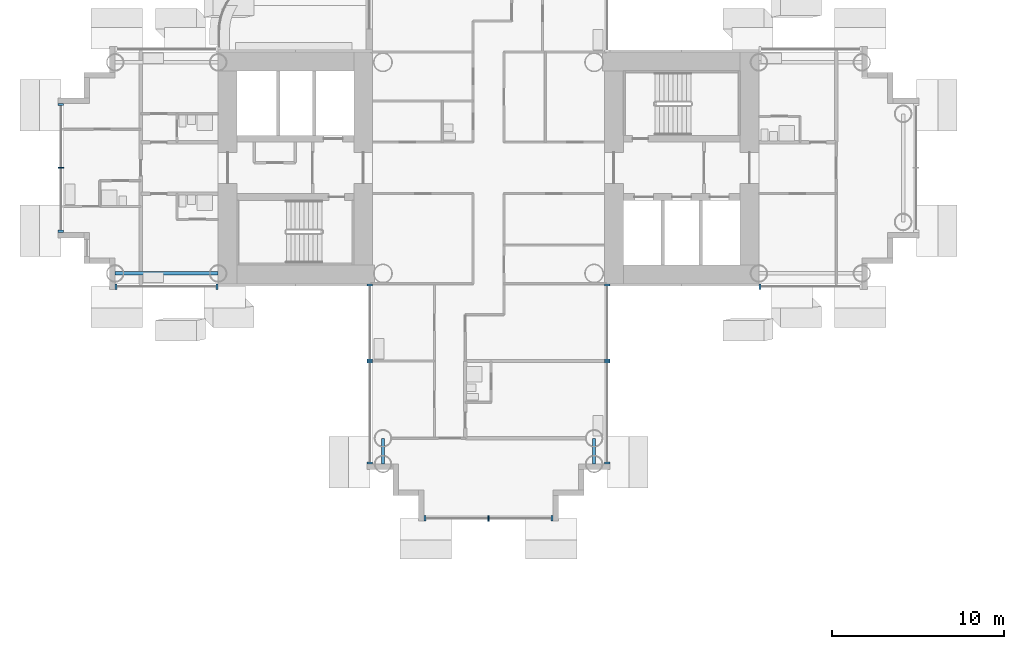
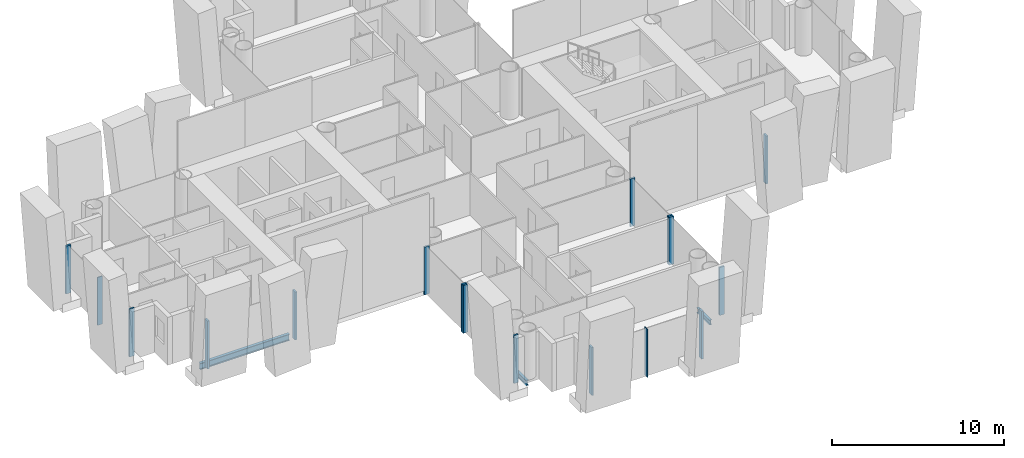
# One storey, part 3 of 25: 17 members, 3 beams, 8 elements without a shape of their own.
"""IFC4 building model written with IfcOpenShell, lengths in metres."""

from ifc_helpers import new_model, si_unit, direction, frame, origin, origin_2d, place, context, subcontext, project, spatial, rectangle, i_section, extrude, material, layer, layer_set, material_profile, profile_set, type_object, element, aggregate, save


model = new_model("IFC4")

# Units and contexts
model_context = context("Model", 3, precision=1e-05, world=origin(), true_north=direction((0.0, 1.0)))
body_context = subcontext(model_context, "Body", "Model", "MODEL_VIEW")
ifc_project = project(units=[si_unit("LENGTHUNIT", "METRE"), si_unit("AREAUNIT", "SQUARE_METRE"), si_unit("VOLUMEUNIT", "CUBIC_METRE"), si_unit("PLANEANGLEUNIT", "RADIAN"), si_unit("MASSUNIT", "GRAM", prefix="KILO")], contexts=[model_context])

# Site, building, storey
site_placement = place(None, origin())
site = spatial("IfcSite", under=ifc_project, at=site_placement, CompositionType="ELEMENT")
building_placement = place(site_placement, origin())
building = spatial("IfcBuilding", under=site, at=building_placement, Name="Ipe Terrace Towers", CompositionType="ELEMENT")
storey_placement = place(building_placement, frame((0.0, 0.0, 58.5)))
storey = spatial("IfcBuildingStorey", under=building, at=storey_placement, Name="L15", CompositionType="ELEMENT", Elevation=58.5)

# Beams
ifc_material_1 = material(Name="Steel S355", Category="steel")
ifc_material_profile_1 = material_profile(ifc_material_1, i_section(OverallWidth=0.175048828125, OverallDepth=0.35009765625, WebThickness=0.007080078125, FlangeThickness=0.010986328125, at=origin_2d()), Name="H-350x175x7x11")
ifc_profile_set_1 = profile_set([ifc_material_profile_1], Name="Steel S355")
beam_type_1 = type_object("IfcBeamType", Name="H04 EDGE BEAM H-350x175x7x11", PredefinedType="BEAM", material=ifc_profile_set_1)
for number, where, z_axis, x_axis, name in (
    (1, (-42.14990234375, -15.75, -0.574951171875), (0.0, -1.0, 0.0), (1.0, 0.0, 0.0), "Edge beam T1-EB-D03-D05"),
    (2, (-29.85009765625, -15.75, -0.574951171875), (0.0, -1.0, 0.0), (1.0, 0.0, 0.0), "Edge beam T1-EB-D04-D06"),
):
    element("IfcBeam", number, at=place(storey_placement, frame(where, z_axis=z_axis, x_axis=x_axis)), inside=storey, type_object=beam_type_1, Name=name, PredefinedType="BEAM", context=body_context, shape_type="SweptSolid", body=[
        extrude(i_section(OverallWidth=0.175048828125, OverallDepth=0.35009765625, WebThickness=0.007080078125, FlangeThickness=0.010986328125, at=origin_2d()), origin(), (0.0, 0.0, 1.0), 1.5),
    ])
ifc_material_2 = material(Name="Steel S355", Category="steel")
ifc_material_profile_2 = material_profile(ifc_material_2, i_section(OverallWidth=0.199951171875, OverallDepth=0.449951171875, WebThickness=0.009033203125, FlangeThickness=0.013916015625, at=origin_2d()), Name="H-450x200x9x14")
ifc_profile_set_2 = profile_set([ifc_material_profile_2], Name="Steel S355")
beam_type_2 = type_object("IfcBeamType", Name="H08 EDGE BEAM H-450x200x9x14", PredefinedType="BEAM", material=ifc_profile_set_2)
beam_placement = place(storey_placement, frame((-51.75, -6.14990234375, -0.625), z_axis=(-1.0, 0.0, 0.0), x_axis=(0.0, -1.0, 0.0)))
element("IfcBeam", 3, at=beam_placement, inside=storey, type_object=beam_type_2, Name="Edge beam T1-EB-C01-C03", PredefinedType="BEAM", context=body_context, shape_type="SweptSolid", body=[
    extrude(i_section(OverallWidth=0.199951171875, OverallDepth=0.449951171875, WebThickness=0.009033203125, FlangeThickness=0.013916015625, at=origin_2d()), origin(), (0.0, 0.0, 1.0), 6.0),
])

# Curtain wall, members
ifc_material_3 = material(Name="Aluminium alloy 6063-T6", Category="aluminium")
ifc_layer = layer(ifc_material_3, 0.320068359375)
ifc_layer_set = layer_set([ifc_layer], Name="TOWER UNITISED CURTAIN WALL")
curtain_wall_type = type_object("IfcCurtainWallType", Name="TOWER UNITISED CURTAIN WALL", PredefinedType="NOTDEFINED", material=ifc_layer_set)
curtain_wall_1_placement = place(storey_placement, origin())
curtain_wall_1 = element("IfcCurtainWall", 4, at=curtain_wall_1_placement, inside=storey, type_object=curtain_wall_type, Name="T1-CW-L15-04a curtain wall", PredefinedType="NOTDEFINED")
ifc_material_4 = material(Name="Aluminium alloy 6063-T6", Category="aluminium")
ifc_material_profile_3 = material_profile(ifc_material_4, rectangle(XDim=0.320068359375, YDim=0.1201171875, at=origin_2d()), Name="TOWER UNITISED CORNER MULLION 320 x 120")
ifc_profile_set_3 = profile_set([ifc_material_profile_3], Name="Aluminium alloy 6063-T6")
member_type_1 = type_object("IfcMemberType", Name="TOWER UNITISED CORNER MULLION 320 x 120", PredefinedType="MULLION", material=ifc_profile_set_3)
member_1_placement = place(storey_placement, frame((-57.68994140625, -6.909912109375, -0.300048828125), z_axis=(0.0, 0.0, 1.0), x_axis=(0.0, -1.0, 0.0)))
member_1 = element("IfcMember", 5, at=member_1_placement, type_object=member_type_1, Name="T1-CW-L15-04a mullion 1", PredefinedType="MULLION", context=body_context, shape_type="SweptSolid", body=[
    extrude(rectangle(XDim=0.320068359375, YDim=0.1201171875, at=origin_2d()), origin(), (0.0, 0.0, 1.0), 3.400146484375),
])
member_2_placement = place(storey_placement, frame((-51.81103515625, -6.909912109375, -0.300048828125), z_axis=(0.0, 0.0, 1.0), x_axis=(0.0, -1.0, 0.0)))
member_2 = element("IfcMember", 6, at=member_2_placement, type_object=member_type_1, Name="T1-CW-L15-04a mullion 2", PredefinedType="MULLION", context=body_context, shape_type="SweptSolid", body=[
    extrude(rectangle(XDim=0.320068359375, YDim=0.1201171875, at=origin_2d()), origin(), (0.0, 0.0, 1.0), 3.400146484375),
])
aggregate(curtain_wall_1, [member_1, member_2])

curtain_wall_2_placement = place(storey_placement, origin())
curtain_wall_2 = element("IfcCurtainWall", 7, at=curtain_wall_2_placement, inside=storey, type_object=curtain_wall_type, Name="T1-CW-L15-06a curtain wall", PredefinedType="NOTDEFINED")
member_3_placement = place(storey_placement, frame((-42.909912109375, -6.81005859375, -0.300048828125), z_axis=(0.0, 0.0, 1.0), x_axis=(-1.0, 0.0, 0.0)))
member_3 = element("IfcMember", 8, at=member_3_placement, type_object=member_type_1, Name="T1-CW-L15-06a mullion 1", PredefinedType="MULLION", context=body_context, shape_type="SweptSolid", body=[
    extrude(rectangle(XDim=0.320068359375, YDim=0.1201171875, at=origin_2d()), origin(), (0.0, 0.0, 1.0), 3.400146484375),
])
member_4_placement = place(storey_placement, frame((-42.909912109375, -11.18994140625, -0.300048828125), z_axis=(0.0, 0.0, 1.0), x_axis=(-1.0, 0.0, 0.0)))
member_4 = element("IfcMember", 9, at=member_4_placement, type_object=member_type_1, Name="T1-CW-L15-06a mullion 2", PredefinedType="MULLION", context=body_context, shape_type="SweptSolid", body=[
    extrude(rectangle(XDim=0.320068359375, YDim=0.1201171875, at=origin_2d()), origin(), (0.0, 0.0, 1.0), 3.400146484375),
])
aggregate(curtain_wall_2, [member_3, member_4])

curtain_wall_3_placement = place(storey_placement, origin())
curtain_wall_3 = element("IfcCurtainWall", 10, at=curtain_wall_3_placement, inside=storey, type_object=curtain_wall_type, Name="T1-CW-L15-07a curtain wall", PredefinedType="NOTDEFINED")
member_5_placement = place(storey_placement, frame((-42.909912109375, -11.31005859375, -0.300048828125), z_axis=(0.0, 0.0, 1.0), x_axis=(-1.0, 0.0, 0.0)))
member_5 = element("IfcMember", 11, at=member_5_placement, type_object=member_type_1, Name="T1-CW-L15-07a mullion 1", PredefinedType="MULLION", context=body_context, shape_type="SweptSolid", body=[
    extrude(rectangle(XDim=0.320068359375, YDim=0.1201171875, at=origin_2d()), origin(), (0.0, 0.0, 1.0), 3.400146484375),
])
member_6_placement = place(storey_placement, frame((-42.909912109375, -17.18994140625, -0.300048828125), z_axis=(0.0, 0.0, 1.0), x_axis=(-1.0, 0.0, 0.0)))
member_6 = element("IfcMember", 12, at=member_6_placement, type_object=member_type_1, Name="T1-CW-L15-07a mullion 2", PredefinedType="MULLION", context=body_context, shape_type="SweptSolid", body=[
    extrude(rectangle(XDim=0.320068359375, YDim=0.1201171875, at=origin_2d()), origin(), (0.0, 0.0, 1.0), 3.400146484375),
])
aggregate(curtain_wall_3, [member_5, member_6])

curtain_wall_4_placement = place(storey_placement, origin())
curtain_wall_4 = element("IfcCurtainWall", 13, at=curtain_wall_4_placement, inside=storey, type_object=curtain_wall_type, Name="T1-CW-L15-12a curtain wall", PredefinedType="NOTDEFINED")
member_7_placement = place(storey_placement, frame((-39.68994140625, -20.409912109375, -0.300048828125), z_axis=(0.0, 0.0, 1.0), x_axis=(0.0, -1.0, 0.0)))
member_7 = element("IfcMember", 14, at=member_7_placement, type_object=member_type_1, Name="T1-CW-L15-12a mullion 1", PredefinedType="MULLION", context=body_context, shape_type="SweptSolid", body=[
    extrude(rectangle(XDim=0.320068359375, YDim=0.1201171875, at=origin_2d()), origin(), (0.0, 0.0, 1.0), 3.400146484375),
])
member_8_placement = place(storey_placement, frame((-32.31005859375, -20.409912109375, -0.300048828125), z_axis=(0.0, 0.0, 1.0), x_axis=(0.0, -1.0, 0.0)))
member_8 = element("IfcMember", 15, at=member_8_placement, type_object=member_type_1, Name="T1-CW-L15-12a mullion 3", PredefinedType="MULLION", context=body_context, shape_type="SweptSolid", body=[
    extrude(rectangle(XDim=0.320068359375, YDim=0.1201171875, at=origin_2d()), origin(), (0.0, 0.0, 1.0), 3.400146484375),
])

curtain_wall_5_placement = place(storey_placement, origin())
curtain_wall_5 = element("IfcCurtainWall", 16, at=curtain_wall_5_placement, inside=storey, type_object=curtain_wall_type, Name="T1-CW-L15-17a curtain wall", PredefinedType="NOTDEFINED")
member_9_placement = place(storey_placement, frame((-29.090087890625, -17.18994140625, -0.300048828125), z_axis=(0.0, 0.0, 1.0), x_axis=(1.0, 0.0, 0.0)))
member_9 = element("IfcMember", 17, at=member_9_placement, type_object=member_type_1, Name="T1-CW-L15-17a mullion 1", PredefinedType="MULLION", context=body_context, shape_type="SweptSolid", body=[
    extrude(rectangle(XDim=0.320068359375, YDim=0.1201171875, at=origin_2d()), origin(), (0.0, 0.0, 1.0), 3.400146484375),
])
member_10_placement = place(storey_placement, frame((-29.090087890625, -11.31005859375, -0.300048828125), z_axis=(0.0, 0.0, 1.0), x_axis=(1.0, 0.0, 0.0)))
member_10 = element("IfcMember", 18, at=member_10_placement, type_object=member_type_1, Name="T1-CW-L15-17a mullion 2", PredefinedType="MULLION", context=body_context, shape_type="SweptSolid", body=[
    extrude(rectangle(XDim=0.320068359375, YDim=0.1201171875, at=origin_2d()), origin(), (0.0, 0.0, 1.0), 3.400146484375),
])
aggregate(curtain_wall_5, [member_9, member_10])

curtain_wall_6_placement = place(storey_placement, origin())
curtain_wall_6 = element("IfcCurtainWall", 19, at=curtain_wall_6_placement, inside=storey, type_object=curtain_wall_type, Name="T1-CW-L15-18a curtain wall", PredefinedType="NOTDEFINED")
member_11_placement = place(storey_placement, frame((-29.090087890625, -11.18994140625, -0.300048828125), z_axis=(0.0, 0.0, 1.0), x_axis=(1.0, 0.0, 0.0)))
member_11 = element("IfcMember", 20, at=member_11_placement, type_object=member_type_1, Name="T1-CW-L15-18a mullion 1", PredefinedType="MULLION", context=body_context, shape_type="SweptSolid", body=[
    extrude(rectangle(XDim=0.320068359375, YDim=0.1201171875, at=origin_2d()), origin(), (0.0, 0.0, 1.0), 3.400146484375),
])
member_12_placement = place(storey_placement, frame((-29.090087890625, -6.81005859375, -0.300048828125), z_axis=(0.0, 0.0, 1.0), x_axis=(1.0, 0.0, 0.0)))
member_12 = element("IfcMember", 21, at=member_12_placement, type_object=member_type_1, Name="T1-CW-L15-18a mullion 2", PredefinedType="MULLION", context=body_context, shape_type="SweptSolid", body=[
    extrude(rectangle(XDim=0.320068359375, YDim=0.1201171875, at=origin_2d()), origin(), (0.0, 0.0, 1.0), 3.400146484375),
])
aggregate(curtain_wall_6, [member_11, member_12])

# Curtain wall, member
curtain_wall_7_placement = place(storey_placement, origin())
curtain_wall_7 = element("IfcCurtainWall", 22, at=curtain_wall_7_placement, inside=storey, type_object=curtain_wall_type, Name="T1-CW-L15-20b curtain wall", PredefinedType="NOTDEFINED")
member_13_placement = place(storey_placement, frame((-20.18896484375, -6.909912109375, -0.300048828125), z_axis=(0.0, 0.0, 1.0), x_axis=(0.0, -1.0, 0.0)))
member_13 = element("IfcMember", 23, at=member_13_placement, type_object=member_type_1, Name="T1-CW-L15-20b mullion 1", PredefinedType="MULLION", context=body_context, shape_type="SweptSolid", body=[
    extrude(rectangle(XDim=0.320068359375, YDim=0.1201171875, at=origin_2d()), origin(), (0.0, 0.0, 1.0), 3.400146484375),
])
aggregate(curtain_wall_7, [member_13])

# Curtain wall, members
curtain_wall_8_placement = place(storey_placement, origin())
curtain_wall_8 = element("IfcCurtainWall", 24, at=curtain_wall_8_placement, inside=storey, type_object=curtain_wall_type, Name="T1-CW-L15-51a curtain wall", PredefinedType="NOTDEFINED")
member_14_placement = place(storey_placement, frame((-60.909912109375, 3.68994140625, -0.300048828125), z_axis=(0.0, 0.0, 1.0), x_axis=(-1.0, 0.0, 0.0)))
member_14 = element("IfcMember", 25, at=member_14_placement, type_object=member_type_1, Name="T1-CW-L15-51a mullion 1", PredefinedType="MULLION", context=body_context, shape_type="SweptSolid", body=[
    extrude(rectangle(XDim=0.320068359375, YDim=0.1201171875, at=origin_2d()), origin(), (0.0, 0.0, 1.0), 3.400146484375),
])
member_15_placement = place(storey_placement, frame((-60.909912109375, -3.68994140625, -0.300048828125), z_axis=(0.0, 0.0, 1.0), x_axis=(-1.0, 0.0, 0.0)))
member_15 = element("IfcMember", 26, at=member_15_placement, type_object=member_type_1, Name="T1-CW-L15-51a mullion 3", PredefinedType="MULLION", context=body_context, shape_type="SweptSolid", body=[
    extrude(rectangle(XDim=0.320068359375, YDim=0.1201171875, at=origin_2d()), origin(), (0.0, 0.0, 1.0), 3.400146484375),
])

# Member
ifc_material_5 = material(Name="Aluminium alloy 6063-T6", Category="aluminium")
ifc_material_profile_4 = material_profile(ifc_material_5, rectangle(XDim=0.320068359375, YDim=0.06494140625, at=origin_2d()), Name="TOWER UNITISED MULLION 320 x 65")
ifc_profile_set_4 = profile_set([ifc_material_profile_4], Name="Aluminium alloy 6063-T6")
member_type_2 = type_object("IfcMemberType", Name="TOWER UNITISED MULLION 320 x 65", PredefinedType="MULLION", material=ifc_profile_set_4)
member_16_placement = place(storey_placement, frame((-36.0, -20.409912109375, -0.300048828125), z_axis=(0.0, 0.0, 1.0), x_axis=(0.0, -1.0, 0.0)))
member_16 = element("IfcMember", 27, at=member_16_placement, type_object=member_type_2, Name="T1-CW-L15-12a mullion 2", PredefinedType="MULLION", context=body_context, shape_type="SweptSolid", body=[
    extrude(rectangle(XDim=0.320068359375, YDim=0.06494140625, at=origin_2d()), origin(), (0.0, 0.0, 1.0), 3.400146484375),
])

aggregate(curtain_wall_4, [member_7, member_16, member_8])

member_17_placement = place(storey_placement, frame((-60.909912109375, 0.0, -0.300048828125), z_axis=(0.0, 0.0, 1.0), x_axis=(-1.0, 0.0, 0.0)))
member_17 = element("IfcMember", 28, at=member_17_placement, type_object=member_type_2, Name="T1-CW-L15-51a mullion 2", PredefinedType="MULLION", context=body_context, shape_type="SweptSolid", body=[
    extrude(rectangle(XDim=0.320068359375, YDim=0.06494140625, at=origin_2d()), origin(), (0.0, 0.0, 1.0), 3.400146484375),
])

aggregate(curtain_wall_8, [member_14, member_17, member_15])

save(model, "model.ifc")
